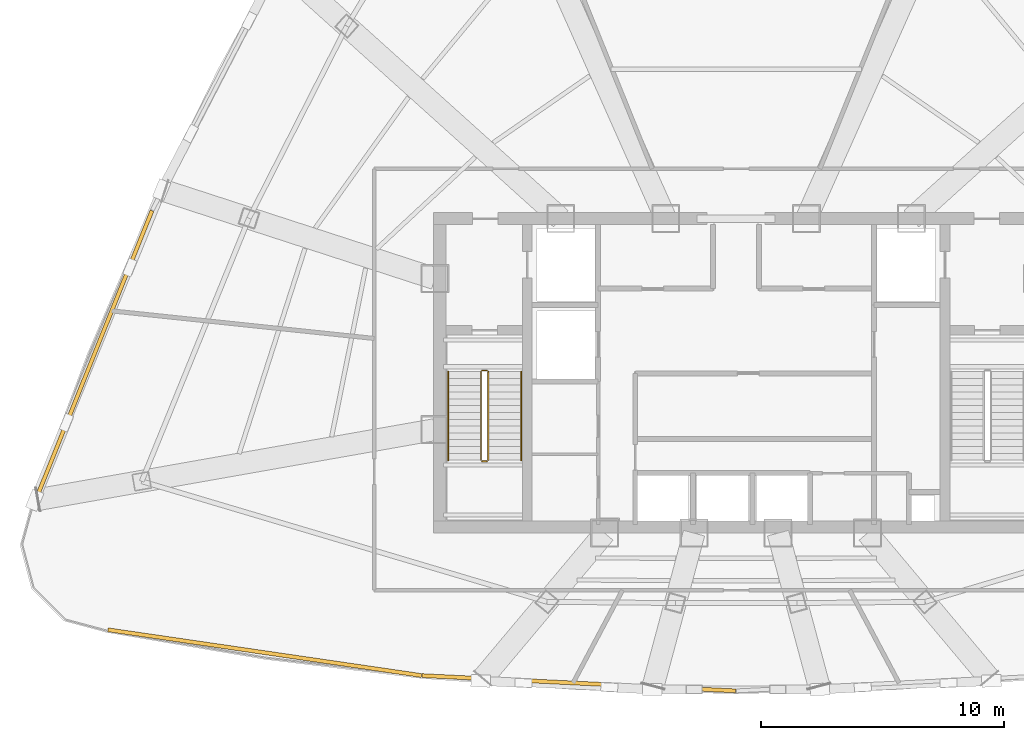
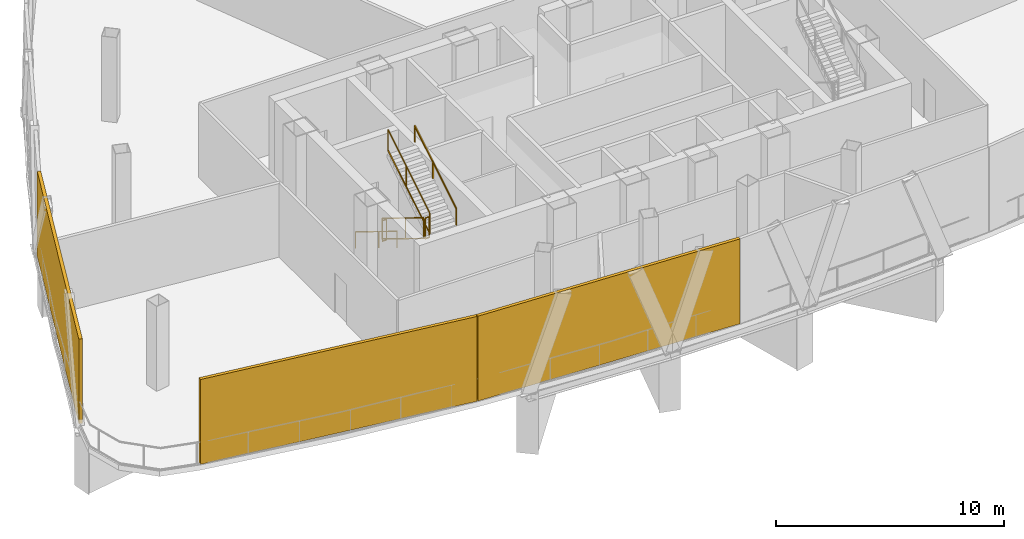
# One storey, part 8 of 12: 6 railings, 3 shading devices.
"""IFC4 building model written with IfcOpenShell, lengths in metres."""

import ifcopenshell
import ifcopenshell.guid

model = None  # the IFC model being written
_history = None  # IfcOwnerHistory: only IFC2X3 demands one
_inside = {}  # id of a spatial element -> (the spatial element, [elements in it])
_under = {}  # id of a project, library or spatial element -> (it, [spatial elements below it])
_declared = {}  # id of a project -> (the project, [libraries it declares])
_typed = {}  # id of a type object -> (the type object, [elements of that type])
_made_of = {}  # id of a material, layer set ... -> (it, [elements and type objects made of it])


def new_model(schema):
    """Start an empty IFC model of exactly this schema.

    Asked for "IFC4X3", IfcOpenShell would pick the latest addendum, in which some entities
    have other attributes; the version numbers below select the first issue.
    IFC2X3 requires an IfcOwnerHistory on every rooted entity: one is made here for all.
    """
    global model, _history
    if schema == "IFC4X3":
        model = ifcopenshell.file(schema_version=(4, 3, 0, 0))
    else:
        model = ifcopenshell.file(schema=schema)
    _inside.clear()
    _under.clear()
    _declared.clear()
    _typed.clear()
    _made_of.clear()
    _history = None
    if model.schema == "IFC2X3":
        org = make("IfcOrganization", Name="unknown")
        user = make(
            "IfcPersonAndOrganization",
            ThePerson=make("IfcPerson", FamilyName="unknown"),
            TheOrganization=org,
        )
        app = make(
            "IfcApplication",
            ApplicationDeveloper=org,
            Version="unknown",
            ApplicationFullName="unknown",
            ApplicationIdentifier="unknown",
        )
        _history = make(
            "IfcOwnerHistory",
            OwningUser=user,
            OwningApplication=app,
            ChangeAction="ADDED",
            CreationDate=0,
        )
    return model


def make(cls, **values):
    """One entity of the class cls with the attributes given. An attribute that is None is left unset."""
    return model.create_entity(
        cls, **{name: value for name, value in values.items() if value is not None}
    )


def rooted(cls, **values):
    """An entity with a GlobalId (a new one), such as an element, a storey or a relation."""
    return make(cls, GlobalId=ifcopenshell.guid.new(), OwnerHistory=_history, **values)


def si_unit(unit_type, name, prefix=None):
    """IfcSIUnit, for example si_unit("LENGTHUNIT", "METRE", prefix="MILLI")."""
    return make("IfcSIUnit", UnitType=unit_type, Prefix=prefix, Name=name)


def assignment(units):
    """IfcUnitAssignment: the units of a project."""
    return None if units is None else make("IfcUnitAssignment", Units=units)


def point(xyz):
    """IfcCartesianPoint."""
    return None if xyz is None else make("IfcCartesianPoint", Coordinates=xyz)


def direction(xyz):
    """IfcDirection."""
    return None if xyz is None else make("IfcDirection", DirectionRatios=xyz)


def frame(location, z_axis=None, x_axis=None):
    """IfcAxis2Placement3D, a coordinate frame: its origin and axes. An axis left out is left unset."""
    return make(
        "IfcAxis2Placement3D",
        Location=point(location),
        Axis=direction(z_axis),
        RefDirection=direction(x_axis),
    )


def frame_2d(location, x_axis=None):
    """IfcAxis2Placement2D, a coordinate frame in the plane: its origin and x axis."""
    return make(
        "IfcAxis2Placement2D", Location=point(location), RefDirection=direction(x_axis)
    )


def origin():
    """The frame at (0, 0, 0) with its axes left unset."""
    return frame((0.0, 0.0, 0.0))


def origin_2d():
    """The frame at (0, 0) in the plane with its x axis left unset."""
    return frame_2d((0.0, 0.0))


def place(relative_to, where):
    """IfcLocalPlacement: puts the frame where relative to a parent placement (None: the world)."""
    return make(
        "IfcLocalPlacement", PlacementRelTo=relative_to, RelativePlacement=where
    )


def context(
    kind, dimensions, precision=None, world=None, true_north=None, identifier=None
):
    """IfcGeometricRepresentationContext, for example the 3D "Model" context."""
    return make(
        "IfcGeometricRepresentationContext",
        ContextIdentifier=identifier,
        ContextType=kind,
        CoordinateSpaceDimension=dimensions,
        Precision=precision,
        WorldCoordinateSystem=world,
        TrueNorth=true_north,
    )


def subcontext(parent, identifier, kind, view, scale=None):
    """IfcGeometricRepresentationSubContext, for example "Body" below "Model"."""
    return make(
        "IfcGeometricRepresentationSubContext",
        ContextIdentifier=identifier,
        ContextType=kind,
        ParentContext=parent,
        TargetScale=scale,
        TargetView=view,
    )


def project(units=None, contexts=None):
    """IfcProject with its units and contexts."""
    return rooted(
        "IfcProject",
        Name="project",
        RepresentationContexts=contexts,
        UnitsInContext=assignment(units),
    )


def spatial(cls, under=None, at=None, **own):
    """A site, building, storey or space (cls), placed at a placement, below another one or the project."""
    s = rooted(cls, ObjectPlacement=at, **own)
    if under is not None:
        _under.setdefault(under.id(), (under, []))[1].append(s)
    return s


def profile(cls, at=None, kind="AREA", **sizes):
    """A parametric profile (cls). Its sizes go by their IFC names, for example OverallWidth=200.0."""
    return make(cls, ProfileType=kind, Position=at, **sizes)


def rectangle(**sizes):
    """IfcRectangleProfileDef."""
    return profile("IfcRectangleProfileDef", **sizes)


def extrude(swept, where, along, depth):
    """IfcExtrudedAreaSolid: the profile swept, set in the frame where, extruded along a direction by depth."""
    return make(
        "IfcExtrudedAreaSolid",
        SweptArea=swept,
        Position=where,
        ExtrudedDirection=direction(along),
        Depth=depth,
    )


def shape(context_of_items, identifier, shape_type, items):
    """IfcShapeRepresentation: the items that make up one representation, for example the "Body"."""
    return make(
        "IfcShapeRepresentation",
        ContextOfItems=context_of_items,
        RepresentationIdentifier=identifier,
        RepresentationType=shape_type,
        Items=items,
    )


def source(mapping_origin, context_of_items, identifier, shape_type, items):
    """IfcRepresentationMap: a shape defined once, which mapped items show again and again."""
    return make(
        "IfcRepresentationMap",
        MappingOrigin=mapping_origin,
        MappedRepresentation=shape(context_of_items, identifier, shape_type, items),
    )


def transform(
    local_origin,
    x_axis=None,
    y_axis=None,
    z_axis=None,
    scale=None,
    scale2=None,
    scale3=None,
    uniform=True,
):
    """IfcCartesianTransformationOperator3D, or its non-uniform kind. x_axis, y_axis, z_axis: its Axis1, 2, 3."""
    if uniform:
        return make(
            "IfcCartesianTransformationOperator3D",
            Axis1=direction(x_axis),
            Axis2=direction(y_axis),
            LocalOrigin=point(local_origin),
            Scale=scale,
            Axis3=direction(z_axis),
        )
    return make(
        "IfcCartesianTransformationOperator3DnonUniform",
        Axis1=direction(x_axis),
        Axis2=direction(y_axis),
        LocalOrigin=point(local_origin),
        Scale=scale,
        Axis3=direction(z_axis),
        Scale2=scale2,
        Scale3=scale3,
    )


def mapped(mapping_source, mapping_target):
    """IfcMappedItem: shows the shape of a source again, moved by a transform."""
    return make(
        "IfcMappedItem", MappingSource=mapping_source, MappingTarget=mapping_target
    )


def material(Name=None, Category=None):
    """IfcMaterial."""
    return make("IfcMaterial", Name=Name, Category=Category)


def layer(
    of_material, thickness, ventilated=None, Name=None, Category=None, Priority=None
):
    """IfcMaterialLayer: one layer of a wall or slab, of a material (None: an air gap)."""
    return make(
        "IfcMaterialLayer",
        Material=of_material,
        LayerThickness=thickness,
        IsVentilated=ventilated,
        Name=Name,
        Category=Category,
        Priority=Priority,
    )


def layer_set(layers, Name=None):
    """IfcMaterialLayerSet."""
    return make("IfcMaterialLayerSet", MaterialLayers=layers, LayerSetName=Name)


def made_of(thing, what):
    """Note that an element or type object is made of a material, layer set ...; save() writes the relation."""
    if what is not None:
        _made_of.setdefault(what.id(), (what, []))[1].append(thing)
    return thing


def type_object(cls, material=None, **own):
    """A type object (cls), such as IfcWallType, which elements share."""
    return made_of(rooted(cls, **own), material)


def element(
    cls,
    number,
    at=None,
    inside=None,
    cuts=None,
    type_object=None,
    material=None,
    context=None,
    identifier="Body",
    shape_type=None,
    held_by="IfcProductDefinitionShape",
    body=None,
    shapes=None,
    **own,
):
    """One element of the class cls, such as IfcWall. Its Tag is "e" and its number.

    at: its placement. inside: the storey or other place that contains it. cuts: it is an
    opening in that element (IfcRelVoidsElement). A single representation is given by context,
    identifier, shape_type and body (its items); several are given by shapes. held_by: the class
    of the entity that holds the representations. save() writes the other relations.
    """
    e = rooted(cls, Tag="e%d" % number, ObjectPlacement=at, **own)
    if body is not None:
        shapes = [shape(context, identifier, shape_type, body)]
    if shapes is not None:
        e.Representation = make(held_by, Representations=shapes)
    if inside is not None:
        _inside.setdefault(inside.id(), (inside, []))[1].append(e)
    if cuts is not None:
        rooted(
            "IfcRelVoidsElement", RelatingBuildingElement=cuts, RelatedOpeningElement=e
        )
    if type_object is not None:
        _typed.setdefault(type_object.id(), (type_object, []))[1].append(e)
    return made_of(e, material)


def aggregate(whole, parts):
    """IfcRelAggregates: a whole, such as a stair, and the parts it consists of."""
    return rooted("IfcRelAggregates", RelatingObject=whole, RelatedObjects=parts)


def save(model, path):
    """Write the relations noted so far, then the file.

    IfcRelAggregates (storeys below a building ...), IfcRelContainedInSpatialStructure (elements
    in a storey), IfcRelDefinesByType, IfcRelAssociatesMaterial and IfcRelDeclares: one each for
    every whole, place, type object, material and project.
    """
    for whole, parts in _under.values():
        aggregate(whole, parts)
    for where, things in _inside.values():
        rooted(
            "IfcRelContainedInSpatialStructure",
            RelatedElements=things,
            RelatingStructure=where,
        )
    for kind, things in _typed.values():
        rooted("IfcRelDefinesByType", RelatedObjects=things, RelatingType=kind)
    for what, things in _made_of.values():
        rooted("IfcRelAssociatesMaterial", RelatedObjects=things, RelatingMaterial=what)
    for by, libraries in _declared.values():
        rooted("IfcRelDeclares", RelatingContext=by, RelatedDefinitions=libraries)
    model.write(path)


model = new_model("IFC4")

# Units and contexts
model_context = context("Model", 3, precision=1e-05, world=origin(), true_north=direction((0.0, 1.0)))
body_context = subcontext(model_context, "Body", "Model", "MODEL_VIEW")
ifc_project = project(units=[si_unit("LENGTHUNIT", "METRE"), si_unit("AREAUNIT", "SQUARE_METRE"), si_unit("VOLUMEUNIT", "CUBIC_METRE"), si_unit("PLANEANGLEUNIT", "RADIAN"), si_unit("MASSUNIT", "GRAM", prefix="KILO"), si_unit("THERMODYNAMICTEMPERATUREUNIT", "KELVIN"), si_unit("POWERUNIT", "WATT")], contexts=[model_context])

# Site, building, storey
site_placement = place(None, origin())
site = spatial("IfcSite", under=ifc_project, at=site_placement, CompositionType="ELEMENT")
building_placement = place(site_placement, origin())
building = spatial("IfcBuilding", under=site, at=building_placement, Name="Yunzhuo Pagoda Commons", CompositionType="ELEMENT")
storey_placement = place(building_placement, frame((0.0, 0.0, 320.7099609375)))
storey = spatial("IfcBuildingStorey", under=building, at=storey_placement, Name="L80", CompositionType="ELEMENT", Elevation=320.7099609375)

# Railings
ifc_material = material(Name="Anodized aluminium 6063-T6", Category="aluminium")
railing_type_1 = type_object("IfcRailingType", Name="GR-ST1 Stair Well Guardrail 1150", PredefinedType="GUARDRAIL", material=ifc_material)
railing_1_placement = place(storey_placement, frame((37.5, 33.89990234375, 0.17138671875)))
element("IfcRailing", 1, at=railing_1_placement, inside=storey, type_object=railing_type_1, Name="L80 ST1 stair guard 1", PredefinedType="GUARDRAIL", context=body_context, shape_type="SweptSolid", body=[
    extrude(rectangle(XDim=0.048095703125, YDim=0.048095703125, at=origin_2d()), frame((0.0, 0.0, 1.1259765625), z_axis=(0.0, -0.852824790078, 0.522197163366), x_axis=(1.0, 0.0, 0.0)), (0.0, 0.0, 1.0), 4.26806640625),
    extrude(rectangle(XDim=0.048095703125, YDim=0.048095703125, at=origin_2d()), frame((0.0, 0.0, 0.02392578125), z_axis=(0.0, -0.852824790078, 0.522197163366), x_axis=(1.0, 0.0, 0.0)), (0.0, 0.0, 1.0), 4.26806640625),
    extrude(rectangle(XDim=0.0419921875, YDim=0.0419921875, at=origin_2d()), origin(), (0.0, 0.0, 1.0), 1.101806640625),
    extrude(rectangle(XDim=0.0419921875, YDim=0.0419921875, at=origin_2d()), frame((0.0, -2.046875, 1.253173828125)), (0.0, 0.0, 1.0), 1.101806640625),
    extrude(rectangle(XDim=0.0419921875, YDim=0.0419921875, at=origin_2d()), frame((0.0, -3.639892578125, 2.228759765625)), (0.0, 0.0, 1.0), 1.101806640625),
])
railing_2_placement = place(storey_placement, frame((37.550048828125, 30.2099609375, 2.400146484375)))
element("IfcRailing", 2, at=railing_2_placement, inside=storey, type_object=railing_type_1, Name="L80 ST1 stair guard 2", PredefinedType="GUARDRAIL", context=body_context, shape_type="SweptSolid", body=[
    extrude(rectangle(XDim=0.048095703125, YDim=0.048095703125, at=origin_2d()), frame((0.0, 0.0, 1.1259765625), z_axis=(1.0, 0.0, 0.0), x_axis=(0.0, 1.0, 0.0)), (0.0, 0.0, 1.0), 0.199951171875),
    extrude(rectangle(XDim=0.048095703125, YDim=0.048095703125, at=origin_2d()), frame((0.0, 0.0, 0.02392578125), z_axis=(1.0, 0.0, 0.0), x_axis=(0.0, 1.0, 0.0)), (0.0, 0.0, 1.0), 0.199951171875),
    extrude(rectangle(XDim=0.0419921875, YDim=0.0419921875, at=origin_2d()), origin(), (0.0, 0.0, 1.0), 1.101806640625),
    extrude(rectangle(XDim=0.0419921875, YDim=0.0419921875, at=origin_2d()), frame((0.199951171875, 0.0, 0.0)), (0.0, 0.0, 1.0), 1.101806640625),
])
railing_3_placement = place(storey_placement, frame((37.800048828125, 30.260009765625, 2.571533203125)))
element("IfcRailing", 3, at=railing_3_placement, inside=storey, type_object=railing_type_1, Name="L80 ST1 stair guard 3", PredefinedType="GUARDRAIL", context=body_context, shape_type="SweptSolid", body=[
    extrude(rectangle(XDim=0.048095703125, YDim=0.048095703125, at=origin_2d()), frame((0.0, 0.0, 1.1259765625), z_axis=(0.0, 0.852850264322, 0.5221555579), x_axis=(-1.0, 0.0, 0.0)), (0.0, 0.0, 1.0), 4.267822265625),
    extrude(rectangle(XDim=0.048095703125, YDim=0.048095703125, at=origin_2d()), frame((0.0, 0.0, 0.02392578125), z_axis=(0.0, 0.852850264322, 0.5221555579), x_axis=(-1.0, 0.0, 0.0)), (0.0, 0.0, 1.0), 4.267822265625),
    extrude(rectangle(XDim=0.0419921875, YDim=0.0419921875, at=origin_2d()), origin(), (0.0, 0.0, 1.0), 1.101806640625),
    extrude(rectangle(XDim=0.0419921875, YDim=0.0419921875, at=origin_2d()), frame((0.0, 2.046875, 1.253173828125)), (0.0, 0.0, 1.0), 1.101806640625),
    extrude(rectangle(XDim=0.0419921875, YDim=0.0419921875, at=origin_2d()), frame((0.0, 3.639892578125, 2.228515625)), (0.0, 0.0, 1.0), 1.101806640625),
])
railing_4_placement = place(storey_placement, frame((37.550048828125, 33.949951171875, 0.0)))
element("IfcRailing", 4, at=railing_4_placement, inside=storey, type_object=railing_type_1, Name="L80 ST1 stair guard 4", PredefinedType="GUARDRAIL", context=body_context, shape_type="SweptSolid", body=[
    extrude(rectangle(XDim=0.048095703125, YDim=0.048095703125, at=origin_2d()), frame((0.0, 0.0, 1.1259765625), z_axis=(1.0, 0.0, 0.0), x_axis=(0.0, 1.0, 0.0)), (0.0, 0.0, 1.0), 0.199951171875),
    extrude(rectangle(XDim=0.048095703125, YDim=0.048095703125, at=origin_2d()), frame((0.0, 0.0, 0.02392578125), z_axis=(1.0, 0.0, 0.0), x_axis=(0.0, 1.0, 0.0)), (0.0, 0.0, 1.0), 0.199951171875),
    extrude(rectangle(XDim=0.0419921875, YDim=0.0419921875, at=origin_2d()), origin(), (0.0, 0.0, 1.0), 1.101806640625),
    extrude(rectangle(XDim=0.0419921875, YDim=0.0419921875, at=origin_2d()), frame((0.199951171875, 0.0, 0.0)), (0.0, 0.0, 1.0), 1.101806640625),
])
railing_type_2 = type_object("IfcRailingType", Name="HR-ST1 Stair Handrail 900", PredefinedType="HANDRAIL", material=ifc_material)
railing_5_placement = place(storey_placement, frame((36.14990234375, 33.89990234375, 0.17138671875)))
element("IfcRailing", 5, at=railing_5_placement, inside=storey, type_object=railing_type_2, Name="L80 ST1 stair handrail 1", PredefinedType="HANDRAIL", context=body_context, shape_type="SweptSolid", body=[
    extrude(rectangle(XDim=0.048095703125, YDim=0.048095703125, at=origin_2d()), frame((0.0, 0.0, 0.8759765625), z_axis=(0.0, -0.852824790078, 0.522197163366), x_axis=(1.0, 0.0, 0.0)), (0.0, 0.0, 1.0), 4.26806640625),
    extrude(rectangle(XDim=0.0419921875, YDim=0.0419921875, at=origin_2d()), origin(), (0.0, 0.0, 1.0), 0.851806640625),
    extrude(rectangle(XDim=0.0419921875, YDim=0.0419921875, at=origin_2d()), frame((0.0, -2.046875, 1.253173828125)), (0.0, 0.0, 1.0), 0.851806640625),
    extrude(rectangle(XDim=0.0419921875, YDim=0.0419921875, at=origin_2d()), frame((0.0, -3.639892578125, 2.228759765625)), (0.0, 0.0, 1.0), 0.851806640625),
])
railing_6_placement = place(storey_placement, frame((39.14990234375, 30.260009765625, 2.571533203125)))
element("IfcRailing", 6, at=railing_6_placement, inside=storey, type_object=railing_type_2, Name="L80 ST1 stair handrail 2", PredefinedType="HANDRAIL", context=body_context, shape_type="SweptSolid", body=[
    extrude(rectangle(XDim=0.048095703125, YDim=0.048095703125, at=origin_2d()), frame((0.0, 0.0, 0.8759765625), z_axis=(0.0, 0.852850264322, 0.5221555579), x_axis=(-1.0, 0.0, 0.0)), (0.0, 0.0, 1.0), 4.267822265625),
    extrude(rectangle(XDim=0.0419921875, YDim=0.0419921875, at=origin_2d()), origin(), (0.0, 0.0, 1.0), 0.851806640625),
    extrude(rectangle(XDim=0.0419921875, YDim=0.0419921875, at=origin_2d()), frame((0.0, 2.046875, 1.253173828125)), (0.0, 0.0, 1.0), 0.851806640625),
    extrude(rectangle(XDim=0.0419921875, YDim=0.0419921875, at=origin_2d()), frame((0.0, 3.639892578125, 2.228515625)), (0.0, 0.0, 1.0), 0.851806640625),
])

# Shading devices
ifc_layer = layer(ifc_material, 0.159912109375)
ifc_layer_set = layer_set([ifc_layer], Name="Anodized aluminium 6063-T6")
shading_device_type = type_object("IfcShadingDeviceType", Name="SH-SCR1 Stormproof Refuge Louvre Screen", PredefinedType="JALOUSIE", material=ifc_layer_set)
shared_shape_1 = source(origin(), body_context, "Body", "SweptSolid", [
    extrude(rectangle(XDim=13.047119140625, YDim=0.159912109375, at=origin_2d()), origin(), (0.0, 0.0, 1.0), 4.5400390625),
])
shading_device_1_placement = place(storey_placement, frame((28.592529296875, 22.329833984375, 0.0), z_axis=(0.0, 0.0, 1.0), x_axis=(0.989510666697, -0.144459823108, 0.0)))
element("IfcShadingDevice", 7, at=shading_device_1_placement, inside=storey, type_object=shading_device_type, Name="L80 stormproof refuge louvre screen F1.1", PredefinedType="JALOUSIE", context=body_context, shape_type="MappedRepresentation", body=[
    mapped(shared_shape_1, transform((0.0, 0.0, 0.0), scale=1.0)),
])
shared_shape_2 = source(origin(), body_context, "Body", "SweptSolid", [
    extrude(rectangle(XDim=12.92529296875, YDim=0.159912109375, at=origin_2d()), origin(), (0.0, 0.0, 1.0), 4.5400390625),
])
shading_device_2_placement = place(storey_placement, frame((41.531005859375, 21.07080078125, 0.0), z_axis=(0.0, 0.0, 1.0), x_axis=(0.998818043775, -0.04860571396, 0.0)))
element("IfcShadingDevice", 8, at=shading_device_2_placement, inside=storey, type_object=shading_device_type, Name="L80 stormproof refuge louvre screen F1.2", PredefinedType="JALOUSIE", context=body_context, shape_type="MappedRepresentation", body=[
    mapped(shared_shape_2, transform((0.0, 0.0, 0.0), scale=1.0)),
])
shared_shape_3 = source(origin(), body_context, "Body", "SweptSolid", [
    extrude(rectangle(XDim=12.942138671875, YDim=0.159912109375, at=origin_2d()), origin(), (0.0, 0.0, 1.0), 4.5400390625),
])
shading_device_3_placement = place(storey_placement, frame((21.539306640625, 34.522216796875, 0.0), z_axis=(0.0, 0.0, 1.0), x_axis=(-0.372987782576, -0.927836253899, 0.0)))
element("IfcShadingDevice", 9, at=shading_device_3_placement, inside=storey, type_object=shading_device_type, Name="L80 stormproof refuge louvre screen F3.4", PredefinedType="JALOUSIE", context=body_context, shape_type="MappedRepresentation", body=[
    mapped(shared_shape_3, transform((0.0, 0.0, 0.0), scale=1.0)),
])

save(model, "model.ifc")
